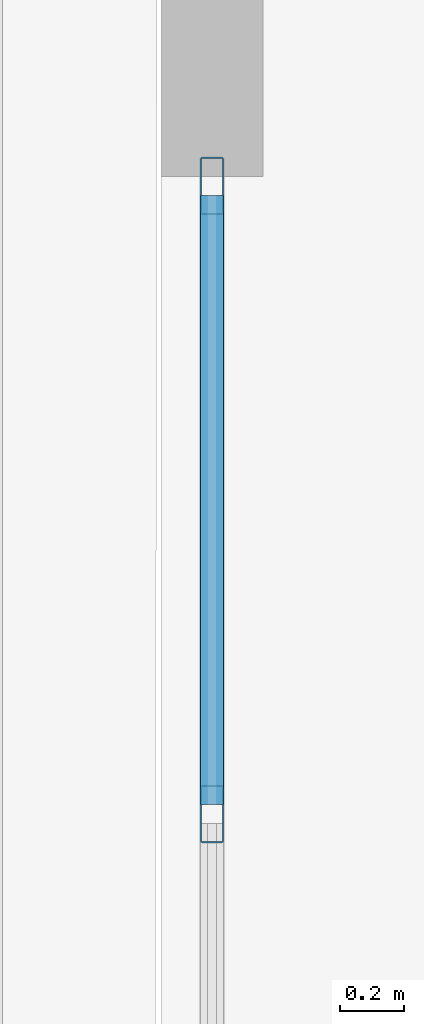
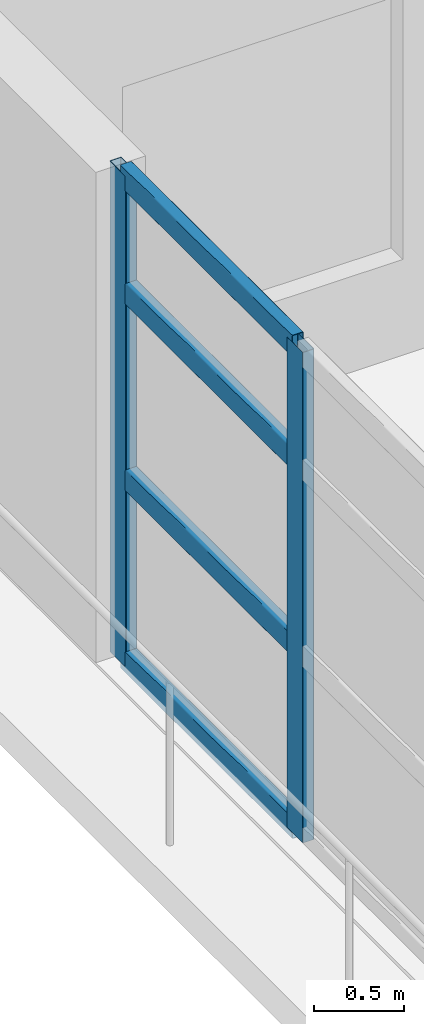
# One storey, part 9 of 24: 6 members, 1 element without a shape of its own.
"""IFC4 building model written with IfcOpenShell, lengths in metres."""

from ifc_helpers import new_model, si_unit, direction, frame, origin, origin_2d, place, context, subcontext, project, spatial, hollow_rectangle, extrude, material, layer, layer_set, material_profile, profile_set, type_object, element, aggregate, save


model = new_model("IFC4")

# Units and contexts
model_context = context("Model", 3, precision=1e-05, world=origin(), true_north=direction((0.0, 1.0)))
body_context = subcontext(model_context, "Body", "Model", "MODEL_VIEW")
ifc_project = project(units=[si_unit("LENGTHUNIT", "METRE"), si_unit("AREAUNIT", "SQUARE_METRE"), si_unit("VOLUMEUNIT", "CUBIC_METRE"), si_unit("PLANEANGLEUNIT", "RADIAN"), si_unit("MASSUNIT", "GRAM", prefix="KILO")], contexts=[model_context])

# Site, building, storey
site_placement = place(None, origin())
site = spatial("IfcSite", under=ifc_project, at=site_placement, CompositionType="ELEMENT")
building_placement = place(site_placement, origin())
building = spatial("IfcBuilding", under=site, at=building_placement, Name="Qingluan Cross Belvedere", CompositionType="ELEMENT")
storey_placement = place(building_placement, frame((0.0, 0.0, 14.699951171875)))
storey = spatial("IfcBuildingStorey", under=building, at=storey_placement, Name="L04", CompositionType="ELEMENT", Elevation=14.699951171875)

# Curtain wall, members
ifc_material_1 = material(Name="Thermally broken aluminium and Low-E glass", Category="aluminium")
ifc_layer = layer(ifc_material_1, 0.219970703125, Name="UnitisedCW_BallroomFoyer")
ifc_layer_set = layer_set([ifc_layer], Name="Thermally broken aluminium and Low-E glass")
curtain_wall_type = type_object("IfcCurtainWallType", Name="UnitisedCW_BallroomFoyer", PredefinedType="USERDEFINED", material=ifc_layer_set)
curtain_wall_placement = place(storey_placement, origin())
curtain_wall = element("IfcCurtainWall", 1, at=curtain_wall_placement, inside=storey, type_object=curtain_wall_type, Name="UnitisedCW_BallroomFoyer run env:cw:L04:W", ObjectType="UNITISED CURTAIN WALL", PredefinedType="USERDEFINED")
ifc_material_2 = material(Name="Aluminium alloy 6063-T6", Category="aluminium")
ifc_material_profile_1 = material_profile(ifc_material_2, hollow_rectangle(XDim=0.074951171875, YDim=0.179931640625, WallThickness=0.00390625, InnerFilletRadius=0.00390625, OuterFilletRadius=0.008056640625, at=origin_2d()), Name="CWM180x75x4")
ifc_profile_set_1 = profile_set([ifc_material_profile_1], Name="Aluminium alloy 6063-T6")
member_type_1 = type_object("IfcMemberType", Name="CWMullion_180", PredefinedType="MULLION", material=ifc_profile_set_1)
member_1_placement = place(storey_placement, frame((-36.93994140625, 4.0, 0.0), z_axis=(0.0, 0.0, 1.0), x_axis=(-1.0, 0.0, 0.0)))
member_1 = element("IfcMember", 2, at=member_1_placement, type_object=member_type_1, Name="CW-P2 mullion 6", PredefinedType="MULLION", context=body_context, shape_type="SweptSolid", body=[
    extrude(hollow_rectangle(XDim=0.074951171875, YDim=0.179931640625, WallThickness=0.00390625, InnerFilletRadius=0.00390625, OuterFilletRadius=0.008056640625, at=origin_2d()), origin(), (0.0, 0.0, 1.0), 3.330078125),
])
member_2_placement = place(storey_placement, frame((-36.93994140625, 5.969970703125, 0.0), z_axis=(0.0, 0.0, 1.0), x_axis=(-1.0, 0.0, 0.0)))
member_2 = element("IfcMember", 3, at=member_2_placement, type_object=member_type_1, Name="CW-P2 mullion 7", PredefinedType="MULLION", context=body_context, shape_type="SweptSolid", body=[
    extrude(hollow_rectangle(XDim=0.074951171875, YDim=0.179931640625, WallThickness=0.00390625, InnerFilletRadius=0.00390625, OuterFilletRadius=0.008056640625, at=origin_2d()), origin(), (0.0, 0.0, 1.0), 3.330078125),
])
ifc_material_3 = material(Name="Aluminium alloy 6063-T6", Category="aluminium")
ifc_material_profile_2 = material_profile(ifc_material_3, hollow_rectangle(XDim=0.074951171875, YDim=0.14990234375, WallThickness=0.00390625, InnerFilletRadius=0.00390625, OuterFilletRadius=0.008056640625, at=origin_2d()), Name="CWT150x75x4")
ifc_profile_set_2 = profile_set([ifc_material_profile_2], Name="Aluminium alloy 6063-T6")
member_type_2 = type_object("IfcMemberType", Name="CWTransom_150", PredefinedType="USERDEFINED", material=ifc_profile_set_2)
member_3_placement = place(storey_placement, frame((-36.93994140625, 4.030029296875, 0.030029296875), z_axis=(0.0, 1.0, 0.0), x_axis=(-1.0, 0.0, 0.0)))
member_3 = element("IfcMember", 4, at=member_3_placement, type_object=member_type_2, Name="CW-P2 transom 6.1", ObjectType="TRANSOM", PredefinedType="USERDEFINED", context=body_context, shape_type="SweptSolid", body=[
    extrude(hollow_rectangle(XDim=0.074951171875, YDim=0.14990234375, WallThickness=0.00390625, InnerFilletRadius=0.00390625, OuterFilletRadius=0.008056640625, at=origin_2d()), origin(), (0.0, 0.0, 1.0), 1.909912109375),
])
member_4_placement = place(storey_placement, frame((-36.93994140625, 4.030029296875, 1.26513671875), z_axis=(0.0, 1.0, 0.0), x_axis=(-1.0, 0.0, 0.0)))
member_4 = element("IfcMember", 5, at=member_4_placement, type_object=member_type_2, Name="CW-P2 transom 6.2", ObjectType="TRANSOM", PredefinedType="USERDEFINED", context=body_context, shape_type="SweptSolid", body=[
    extrude(hollow_rectangle(XDim=0.074951171875, YDim=0.14990234375, WallThickness=0.00390625, InnerFilletRadius=0.00390625, OuterFilletRadius=0.008056640625, at=origin_2d()), origin(), (0.0, 0.0, 1.0), 1.909912109375),
])
member_5_placement = place(storey_placement, frame((-36.93994140625, 4.030029296875, 2.531005859375), z_axis=(0.0, 1.0, 0.0), x_axis=(-1.0, 0.0, 0.0)))
member_5 = element("IfcMember", 6, at=member_5_placement, type_object=member_type_2, Name="CW-P2 transom 6.3", ObjectType="TRANSOM", PredefinedType="USERDEFINED", context=body_context, shape_type="SweptSolid", body=[
    extrude(hollow_rectangle(XDim=0.074951171875, YDim=0.14990234375, WallThickness=0.00390625, InnerFilletRadius=0.00390625, OuterFilletRadius=0.008056640625, at=origin_2d()), origin(), (0.0, 0.0, 1.0), 1.909912109375),
])
member_6_placement = place(storey_placement, frame((-36.93994140625, 4.030029296875, 3.300048828125), z_axis=(0.0, 1.0, 0.0), x_axis=(-1.0, 0.0, 0.0)))
member_6 = element("IfcMember", 7, at=member_6_placement, type_object=member_type_2, Name="CW-P2 transom 6.4", ObjectType="TRANSOM", PredefinedType="USERDEFINED", context=body_context, shape_type="SweptSolid", body=[
    extrude(hollow_rectangle(XDim=0.074951171875, YDim=0.14990234375, WallThickness=0.00390625, InnerFilletRadius=0.00390625, OuterFilletRadius=0.008056640625, at=origin_2d()), origin(), (0.0, 0.0, 1.0), 1.909912109375),
])
aggregate(curtain_wall, [member_1, member_2, member_3, member_4, member_5, member_6])

save(model, "model.ifc")
